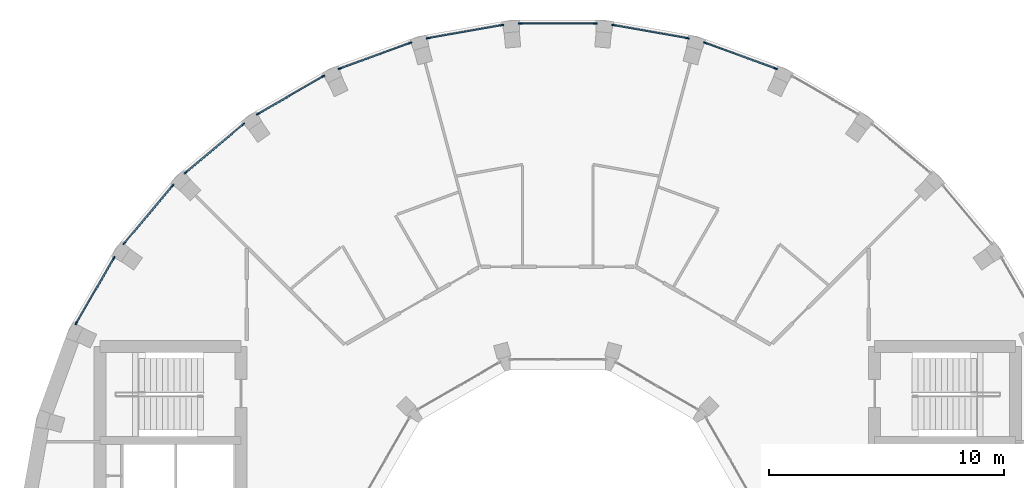
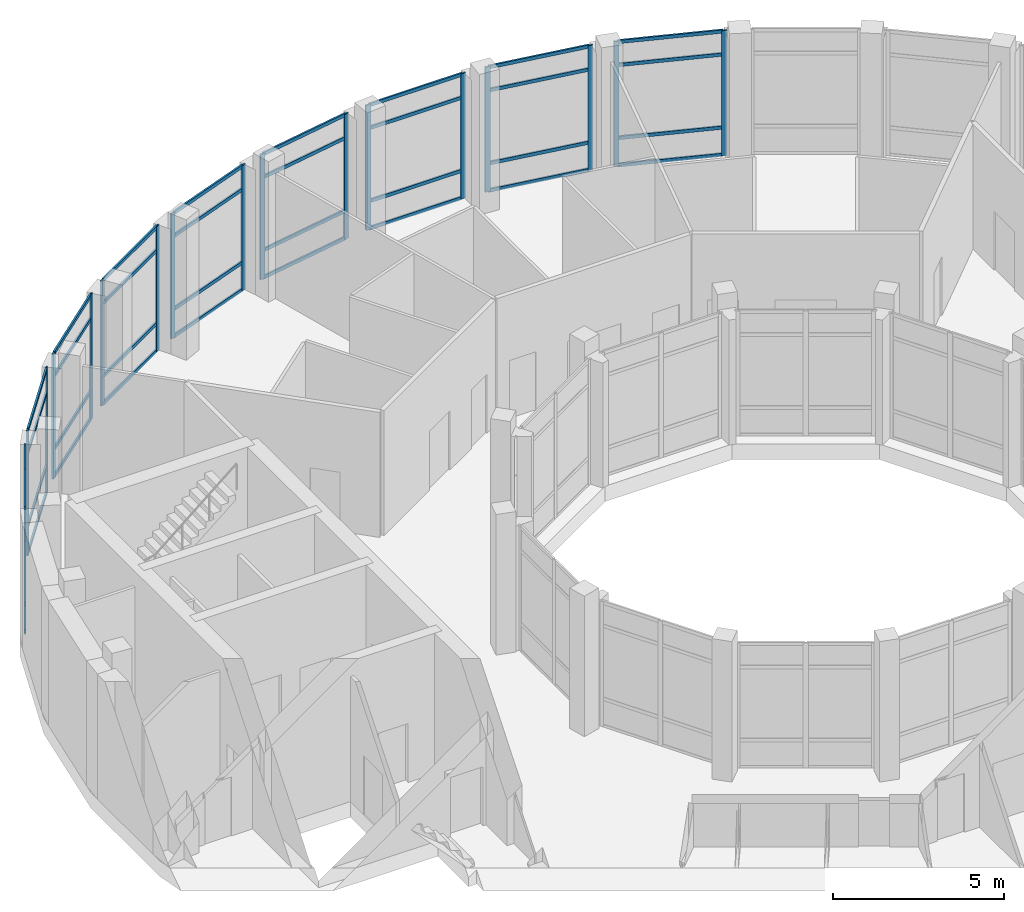
# One storey, part 6 of 16: 54 members, 9 elements without a shape of their own.
"""IFC4 building model written with IfcOpenShell, lengths in metres."""

from ifc_helpers import new_model, si_unit, direction, frame, origin, origin_2d, place, context, subcontext, project, spatial, rectangle, extrude, material, layer, layer_set, material_profile, profile_set, type_object, element, aggregate, save


model = new_model("IFC4")

# Units and contexts
model_context = context("Model", 3, precision=1e-05, world=origin(), true_north=direction((0.0, 1.0)))
body_context = subcontext(model_context, "Body", "Model", "MODEL_VIEW")
ifc_project = project(units=[si_unit("LENGTHUNIT", "METRE"), si_unit("AREAUNIT", "SQUARE_METRE"), si_unit("VOLUMEUNIT", "CUBIC_METRE"), si_unit("PLANEANGLEUNIT", "RADIAN"), si_unit("MASSUNIT", "GRAM", prefix="KILO")], contexts=[model_context])

# Site, building, storey
site_placement = place(None, origin())
site = spatial("IfcSite", under=ifc_project, at=site_placement, CompositionType="ELEMENT")
building_placement = place(site_placement, origin())
building = spatial("IfcBuilding", under=site, at=building_placement, Name="Saqina Gate Tower", CompositionType="ELEMENT")
storey_placement = place(building_placement, frame((0.0, 0.0, 279.199951171875)))
storey = spatial("IfcBuildingStorey", under=building, at=storey_placement, Name="L80", CompositionType="ELEMENT", Elevation=279.199951171875)

# Curtain wall, members
ifc_material_1 = material(Name="Aluminium glazing", Category="aluminium")
ifc_layer = layer(ifc_material_1, 0.159912109375)
ifc_layer_set = layer_set([ifc_layer], Name="CWT-2")
curtain_wall_type = type_object("IfcCurtainWallType", Name="CWT-2", PredefinedType="NOTDEFINED", material=ifc_layer_set)
curtain_wall_1_placement = place(storey_placement, origin())
curtain_wall_1 = element("IfcCurtainWall", 1, at=curtain_wall_1_placement, inside=storey, type_object=curtain_wall_type, Name="Sky lounge glazing facet 7", PredefinedType="NOTDEFINED")
ifc_material_2 = material(Name="Aluminium", Category="aluminium")
ifc_material_profile_1 = material_profile(ifc_material_2, rectangle(XDim=0.06005859375, YDim=0.159912109375, at=origin_2d()), Name="Aluminium 60x160")
ifc_profile_set_1 = profile_set([ifc_material_profile_1], Name="Aluminium")
member_type_1 = type_object("IfcMemberType", Name="CWT-2M", PredefinedType="MULLION", material=ifc_profile_set_1)
member_1_placement = place(storey_placement, frame((9.284912109375, 20.843994140625, 0.0), z_axis=(0.0, 0.0, 1.0), x_axis=(-0.342007258437, -0.939697310402, 0.0)))
member_1 = element("IfcMember", 2, at=member_1_placement, type_object=member_type_1, Name="CW2-07 mullion 1", PredefinedType="MULLION", context=body_context, shape_type="SweptSolid", body=[
    extrude(rectangle(XDim=0.06005859375, YDim=0.159912109375, at=origin_2d()), origin(), (0.0, 0.0, 1.0), 4.449951171875),
])
member_2_placement = place(storey_placement, frame((6.28564453125, 21.935546875, 0.0), z_axis=(0.0, 0.0, 1.0), x_axis=(-0.342007258437, -0.939697310402, 0.0)))
member_2 = element("IfcMember", 3, at=member_2_placement, type_object=member_type_1, Name="CW2-07 mullion 2", PredefinedType="MULLION", context=body_context, shape_type="SweptSolid", body=[
    extrude(rectangle(XDim=0.06005859375, YDim=0.159912109375, at=origin_2d()), origin(), (0.0, 0.0, 1.0), 4.449951171875),
])

curtain_wall_2_placement = place(storey_placement, origin())
curtain_wall_2 = element("IfcCurtainWall", 4, at=curtain_wall_2_placement, inside=storey, type_object=curtain_wall_type, Name="Sky lounge glazing facet 8", PredefinedType="NOTDEFINED")
member_3_placement = place(storey_placement, frame((5.524169921875, 22.139404296875, 0.0), z_axis=(0.0, 0.0, 1.0), x_axis=(-0.173662526718, -0.984805222779, 0.0)))
member_3 = element("IfcMember", 5, at=member_3_placement, type_object=member_type_1, Name="CW2-08 mullion 1", PredefinedType="MULLION", context=body_context, shape_type="SweptSolid", body=[
    extrude(rectangle(XDim=0.06005859375, YDim=0.159912109375, at=origin_2d()), origin(), (0.0, 0.0, 1.0), 4.449951171875),
])
member_4_placement = place(storey_placement, frame((2.381103515625, 22.69384765625, 0.0), z_axis=(0.0, 0.0, 1.0), x_axis=(-0.173662526718, -0.984805222779, 0.0)))
member_4 = element("IfcMember", 6, at=member_4_placement, type_object=member_type_1, Name="CW2-08 mullion 2", PredefinedType="MULLION", context=body_context, shape_type="SweptSolid", body=[
    extrude(rectangle(XDim=0.06005859375, YDim=0.159912109375, at=origin_2d()), origin(), (0.0, 0.0, 1.0), 4.449951171875),
])

curtain_wall_3_placement = place(storey_placement, origin())
curtain_wall_3 = element("IfcCurtainWall", 7, at=curtain_wall_3_placement, inside=storey, type_object=curtain_wall_type, Name="Sky lounge glazing facet 9", PredefinedType="NOTDEFINED")
member_5_placement = place(storey_placement, frame((1.595703125, 22.762451171875, 0.0), z_axis=(0.0, 0.0, 1.0), x_axis=(0.0, -1.0, 0.0)))
member_5 = element("IfcMember", 8, at=member_5_placement, type_object=member_type_1, Name="CW2-09 mullion 1", PredefinedType="MULLION", context=body_context, shape_type="SweptSolid", body=[
    extrude(rectangle(XDim=0.06005859375, YDim=0.159912109375, at=origin_2d()), origin(), (0.0, 0.0, 1.0), 4.449951171875),
])
member_6_placement = place(storey_placement, frame((-1.595703125, 22.762451171875, 0.0), z_axis=(0.0, 0.0, 1.0), x_axis=(0.0, -1.0, 0.0)))
member_6 = element("IfcMember", 9, at=member_6_placement, type_object=member_type_1, Name="CW2-09 mullion 2", PredefinedType="MULLION", context=body_context, shape_type="SweptSolid", body=[
    extrude(rectangle(XDim=0.06005859375, YDim=0.159912109375, at=origin_2d()), origin(), (0.0, 0.0, 1.0), 4.449951171875),
])

curtain_wall_4_placement = place(storey_placement, origin())
curtain_wall_4 = element("IfcCurtainWall", 10, at=curtain_wall_4_placement, inside=storey, type_object=curtain_wall_type, Name="Sky lounge glazing facet 10", PredefinedType="NOTDEFINED")
member_7_placement = place(storey_placement, frame((-2.381103515625, 22.69384765625, 0.0), z_axis=(0.0, 0.0, 1.0), x_axis=(0.173662526718, -0.984805222779, 0.0)))
member_7 = element("IfcMember", 11, at=member_7_placement, type_object=member_type_1, Name="CW2-10 mullion 1", PredefinedType="MULLION", context=body_context, shape_type="SweptSolid", body=[
    extrude(rectangle(XDim=0.06005859375, YDim=0.159912109375, at=origin_2d()), origin(), (0.0, 0.0, 1.0), 4.449951171875),
])
member_8_placement = place(storey_placement, frame((-5.524169921875, 22.139404296875, 0.0), z_axis=(0.0, 0.0, 1.0), x_axis=(0.173662526718, -0.984805222779, 0.0)))
member_8 = element("IfcMember", 12, at=member_8_placement, type_object=member_type_1, Name="CW2-10 mullion 2", PredefinedType="MULLION", context=body_context, shape_type="SweptSolid", body=[
    extrude(rectangle(XDim=0.06005859375, YDim=0.159912109375, at=origin_2d()), origin(), (0.0, 0.0, 1.0), 4.449951171875),
])

curtain_wall_5_placement = place(storey_placement, origin())
curtain_wall_5 = element("IfcCurtainWall", 13, at=curtain_wall_5_placement, inside=storey, type_object=curtain_wall_type, Name="Sky lounge glazing facet 11", PredefinedType="NOTDEFINED")
member_9_placement = place(storey_placement, frame((-6.28564453125, 21.935546875, 0.0), z_axis=(0.0, 0.0, 1.0), x_axis=(0.342007258437, -0.939697310402, 0.0)))
member_9 = element("IfcMember", 14, at=member_9_placement, type_object=member_type_1, Name="CW2-11 mullion 1", PredefinedType="MULLION", context=body_context, shape_type="SweptSolid", body=[
    extrude(rectangle(XDim=0.06005859375, YDim=0.159912109375, at=origin_2d()), origin(), (0.0, 0.0, 1.0), 4.449951171875),
])
member_10_placement = place(storey_placement, frame((-9.284912109375, 20.843994140625, 0.0), z_axis=(0.0, 0.0, 1.0), x_axis=(0.342007258437, -0.939697310402, 0.0)))
member_10 = element("IfcMember", 15, at=member_10_placement, type_object=member_type_1, Name="CW2-11 mullion 2", PredefinedType="MULLION", context=body_context, shape_type="SweptSolid", body=[
    extrude(rectangle(XDim=0.06005859375, YDim=0.159912109375, at=origin_2d()), origin(), (0.0, 0.0, 1.0), 4.449951171875),
])

curtain_wall_6_placement = place(storey_placement, origin())
curtain_wall_6 = element("IfcCurtainWall", 16, at=curtain_wall_6_placement, inside=storey, type_object=curtain_wall_type, Name="Sky lounge glazing facet 12", PredefinedType="NOTDEFINED")
member_11_placement = place(storey_placement, frame((-9.999267578125, 20.5107421875, 0.0), z_axis=(0.0, 0.0, 1.0), x_axis=(0.499982449212, -0.8660355365, 0.0)))
member_11 = element("IfcMember", 17, at=member_11_placement, type_object=member_type_1, Name="CW2-12 mullion 1", PredefinedType="MULLION", context=body_context, shape_type="SweptSolid", body=[
    extrude(rectangle(XDim=0.06005859375, YDim=0.159912109375, at=origin_2d()), origin(), (0.0, 0.0, 1.0), 4.449951171875),
])
member_12_placement = place(storey_placement, frame((-12.763427734375, 18.9150390625, 0.0), z_axis=(0.0, 0.0, 1.0), x_axis=(0.499982449212, -0.8660355365, 0.0)))
member_12 = element("IfcMember", 18, at=member_12_placement, type_object=member_type_1, Name="CW2-12 mullion 2", PredefinedType="MULLION", context=body_context, shape_type="SweptSolid", body=[
    extrude(rectangle(XDim=0.06005859375, YDim=0.159912109375, at=origin_2d()), origin(), (0.0, 0.0, 1.0), 4.449951171875),
])

curtain_wall_7_placement = place(storey_placement, origin())
curtain_wall_7 = element("IfcCurtainWall", 19, at=curtain_wall_7_placement, inside=storey, type_object=curtain_wall_type, Name="Sky lounge glazing facet 13", PredefinedType="NOTDEFINED")
member_13_placement = place(storey_placement, frame((-13.408935546875, 18.462890625, 0.0), z_axis=(0.0, 0.0, 1.0), x_axis=(0.642785214609, -0.766046452821, 0.0)))
member_13 = element("IfcMember", 20, at=member_13_placement, type_object=member_type_1, Name="CW2-13 mullion 1", PredefinedType="MULLION", context=body_context, shape_type="SweptSolid", body=[
    extrude(rectangle(XDim=0.06005859375, YDim=0.159912109375, at=origin_2d()), origin(), (0.0, 0.0, 1.0), 4.449951171875),
])
member_14_placement = place(storey_placement, frame((-15.85400390625, 16.411376953125, 0.0), z_axis=(0.0, 0.0, 1.0), x_axis=(0.642785214609, -0.766046452821, 0.0)))
member_14 = element("IfcMember", 21, at=member_14_placement, type_object=member_type_1, Name="CW2-13 mullion 2", PredefinedType="MULLION", context=body_context, shape_type="SweptSolid", body=[
    extrude(rectangle(XDim=0.06005859375, YDim=0.159912109375, at=origin_2d()), origin(), (0.0, 0.0, 1.0), 4.449951171875),
])

curtain_wall_8_placement = place(storey_placement, origin())
curtain_wall_8 = element("IfcCurtainWall", 22, at=curtain_wall_8_placement, inside=storey, type_object=curtain_wall_type, Name="Sky lounge glazing facet 14", PredefinedType="NOTDEFINED")
member_15_placement = place(storey_placement, frame((-16.411376953125, 15.85400390625, 0.0), z_axis=(0.0, 0.0, 1.0), x_axis=(0.766046452821, -0.642785214609, 0.0)))
member_15 = element("IfcMember", 23, at=member_15_placement, type_object=member_type_1, Name="CW2-14 mullion 1", PredefinedType="MULLION", context=body_context, shape_type="SweptSolid", body=[
    extrude(rectangle(XDim=0.06005859375, YDim=0.159912109375, at=origin_2d()), origin(), (0.0, 0.0, 1.0), 4.449951171875),
])
member_16_placement = place(storey_placement, frame((-18.462890625, 13.408935546875, 0.0), z_axis=(0.0, 0.0, 1.0), x_axis=(0.766046452821, -0.642785214609, 0.0)))
member_16 = element("IfcMember", 24, at=member_16_placement, type_object=member_type_1, Name="CW2-14 mullion 2", PredefinedType="MULLION", context=body_context, shape_type="SweptSolid", body=[
    extrude(rectangle(XDim=0.06005859375, YDim=0.159912109375, at=origin_2d()), origin(), (0.0, 0.0, 1.0), 4.449951171875),
])

curtain_wall_9_placement = place(storey_placement, origin())
curtain_wall_9 = element("IfcCurtainWall", 25, at=curtain_wall_9_placement, inside=storey, type_object=curtain_wall_type, Name="Sky lounge glazing facet 15", PredefinedType="NOTDEFINED")
member_17_placement = place(storey_placement, frame((-18.9150390625, 12.763427734375, 0.0), z_axis=(0.0, 0.0, 1.0), x_axis=(0.8660355365, -0.499982449212, 0.0)))
member_17 = element("IfcMember", 26, at=member_17_placement, type_object=member_type_1, Name="CW2-15 mullion 1", PredefinedType="MULLION", context=body_context, shape_type="SweptSolid", body=[
    extrude(rectangle(XDim=0.06005859375, YDim=0.159912109375, at=origin_2d()), origin(), (0.0, 0.0, 1.0), 4.449951171875),
])
member_18_placement = place(storey_placement, frame((-20.5107421875, 9.999267578125, 0.0), z_axis=(0.0, 0.0, 1.0), x_axis=(0.8660355365, -0.499982449212, 0.0)))
member_18 = element("IfcMember", 27, at=member_18_placement, type_object=member_type_1, Name="CW2-15 mullion 2", PredefinedType="MULLION", context=body_context, shape_type="SweptSolid", body=[
    extrude(rectangle(XDim=0.06005859375, YDim=0.159912109375, at=origin_2d()), origin(), (0.0, 0.0, 1.0), 4.449951171875),
])

# Member
ifc_material_3 = material(Name="Aluminium", Category="aluminium")
ifc_material_profile_2 = material_profile(ifc_material_3, rectangle(XDim=0.06005859375, YDim=0.1201171875, at=origin_2d()), Name="Aluminium 60x120")
ifc_profile_set_2 = profile_set([ifc_material_profile_2], Name="Aluminium")
member_type_2 = type_object("IfcMemberType", Name="CWT-2T", PredefinedType="USERDEFINED", material=ifc_profile_set_2)
member_19_placement = place(storey_placement, frame((9.256591796875, 20.854248046875, 0.030029296875), z_axis=(-0.939700067025, 0.341999684258, 0.0), x_axis=(-0.341999684258, -0.939700067025, 0.0)))
member_19 = element("IfcMember", 28, at=member_19_placement, type_object=member_type_2, Name="CW2-07 transom 1.1", ObjectType="TRANSOM", PredefinedType="USERDEFINED", context=body_context, shape_type="SweptSolid", body=[
    extrude(rectangle(XDim=0.06005859375, YDim=0.1201171875, at=origin_2d()), origin(), (0.0, 0.0, 1.0), 3.131591796875),
])

member_20_placement = place(storey_placement, frame((9.256591796875, 20.854248046875, 1.0), z_axis=(-0.939700067025, 0.341999684258, 0.0), x_axis=(-0.341999684258, -0.939700067025, 0.0)))
member_20 = element("IfcMember", 29, at=member_20_placement, type_object=member_type_2, Name="CW2-07 transom 1.2", ObjectType="TRANSOM", PredefinedType="USERDEFINED", context=body_context, shape_type="SweptSolid", body=[
    extrude(rectangle(XDim=0.06005859375, YDim=0.1201171875, at=origin_2d()), origin(), (0.0, 0.0, 1.0), 3.131591796875),
])

member_21_placement = place(storey_placement, frame((9.256591796875, 20.854248046875, 3.60009765625), z_axis=(-0.939700067025, 0.341999684258, 0.0), x_axis=(-0.341999684258, -0.939700067025, 0.0)))
member_21 = element("IfcMember", 30, at=member_21_placement, type_object=member_type_2, Name="CW2-07 transom 1.3", ObjectType="TRANSOM", PredefinedType="USERDEFINED", context=body_context, shape_type="SweptSolid", body=[
    extrude(rectangle(XDim=0.06005859375, YDim=0.1201171875, at=origin_2d()), origin(), (0.0, 0.0, 1.0), 3.131591796875),
])

member_22_placement = place(storey_placement, frame((9.256591796875, 20.854248046875, 4.420166015625), z_axis=(-0.939700067025, 0.341999684258, 0.0), x_axis=(-0.341999684258, -0.939700067025, 0.0)))
member_22 = element("IfcMember", 31, at=member_22_placement, type_object=member_type_2, Name="CW2-07 transom 1.4", ObjectType="TRANSOM", PredefinedType="USERDEFINED", context=body_context, shape_type="SweptSolid", body=[
    extrude(rectangle(XDim=0.06005859375, YDim=0.1201171875, at=origin_2d()), origin(), (0.0, 0.0, 1.0), 3.131591796875),
])

aggregate(curtain_wall_1, [member_1, member_2, member_19, member_20, member_21, member_22])

member_23_placement = place(storey_placement, frame((5.49462890625, 22.144775390625, 0.030029296875), z_axis=(-0.984812584506, 0.173620774675, 0.0), x_axis=(-0.173620774675, -0.984812584506, 0.0)))
member_23 = element("IfcMember", 32, at=member_23_placement, type_object=member_type_2, Name="CW2-08 transom 1.1", ObjectType="TRANSOM", PredefinedType="USERDEFINED", context=body_context, shape_type="SweptSolid", body=[
    extrude(rectangle(XDim=0.06005859375, YDim=0.1201171875, at=origin_2d()), origin(), (0.0, 0.0, 1.0), 3.131591796875),
])

member_24_placement = place(storey_placement, frame((5.49462890625, 22.144775390625, 1.0), z_axis=(-0.984812584506, 0.173620774675, 0.0), x_axis=(-0.173620774675, -0.984812584506, 0.0)))
member_24 = element("IfcMember", 33, at=member_24_placement, type_object=member_type_2, Name="CW2-08 transom 1.2", ObjectType="TRANSOM", PredefinedType="USERDEFINED", context=body_context, shape_type="SweptSolid", body=[
    extrude(rectangle(XDim=0.06005859375, YDim=0.1201171875, at=origin_2d()), origin(), (0.0, 0.0, 1.0), 3.131591796875),
])

member_25_placement = place(storey_placement, frame((5.49462890625, 22.144775390625, 3.60009765625), z_axis=(-0.984812584506, 0.173620774675, 0.0), x_axis=(-0.173620774675, -0.984812584506, 0.0)))
member_25 = element("IfcMember", 34, at=member_25_placement, type_object=member_type_2, Name="CW2-08 transom 1.3", ObjectType="TRANSOM", PredefinedType="USERDEFINED", context=body_context, shape_type="SweptSolid", body=[
    extrude(rectangle(XDim=0.06005859375, YDim=0.1201171875, at=origin_2d()), origin(), (0.0, 0.0, 1.0), 3.131591796875),
])

member_26_placement = place(storey_placement, frame((5.49462890625, 22.144775390625, 4.420166015625), z_axis=(-0.984812584506, 0.173620774675, 0.0), x_axis=(-0.173620774675, -0.984812584506, 0.0)))
member_26 = element("IfcMember", 35, at=member_26_placement, type_object=member_type_2, Name="CW2-08 transom 1.4", ObjectType="TRANSOM", PredefinedType="USERDEFINED", context=body_context, shape_type="SweptSolid", body=[
    extrude(rectangle(XDim=0.06005859375, YDim=0.1201171875, at=origin_2d()), origin(), (0.0, 0.0, 1.0), 3.131591796875),
])

aggregate(curtain_wall_2, [member_3, member_4, member_23, member_24, member_25, member_26])

member_27_placement = place(storey_placement, frame((1.56591796875, 22.762451171875, 0.030029296875), z_axis=(-1.0, 0.0, 0.0), x_axis=(0.0, -1.0, 0.0)))
member_27 = element("IfcMember", 36, at=member_27_placement, type_object=member_type_2, Name="CW2-09 transom 1.1", ObjectType="TRANSOM", PredefinedType="USERDEFINED", context=body_context, shape_type="SweptSolid", body=[
    extrude(rectangle(XDim=0.06005859375, YDim=0.1201171875, at=origin_2d()), origin(), (0.0, 0.0, 1.0), 3.1318359375),
])

member_28_placement = place(storey_placement, frame((1.56591796875, 22.762451171875, 1.0), z_axis=(-1.0, 0.0, 0.0), x_axis=(0.0, -1.0, 0.0)))
member_28 = element("IfcMember", 37, at=member_28_placement, type_object=member_type_2, Name="CW2-09 transom 1.2", ObjectType="TRANSOM", PredefinedType="USERDEFINED", context=body_context, shape_type="SweptSolid", body=[
    extrude(rectangle(XDim=0.06005859375, YDim=0.1201171875, at=origin_2d()), origin(), (0.0, 0.0, 1.0), 3.1318359375),
])

member_29_placement = place(storey_placement, frame((1.56591796875, 22.762451171875, 3.60009765625), z_axis=(-1.0, 0.0, 0.0), x_axis=(0.0, -1.0, 0.0)))
member_29 = element("IfcMember", 38, at=member_29_placement, type_object=member_type_2, Name="CW2-09 transom 1.3", ObjectType="TRANSOM", PredefinedType="USERDEFINED", context=body_context, shape_type="SweptSolid", body=[
    extrude(rectangle(XDim=0.06005859375, YDim=0.1201171875, at=origin_2d()), origin(), (0.0, 0.0, 1.0), 3.1318359375),
])

member_30_placement = place(storey_placement, frame((1.56591796875, 22.762451171875, 4.420166015625), z_axis=(-1.0, 0.0, 0.0), x_axis=(0.0, -1.0, 0.0)))
member_30 = element("IfcMember", 39, at=member_30_placement, type_object=member_type_2, Name="CW2-09 transom 1.4", ObjectType="TRANSOM", PredefinedType="USERDEFINED", context=body_context, shape_type="SweptSolid", body=[
    extrude(rectangle(XDim=0.06005859375, YDim=0.1201171875, at=origin_2d()), origin(), (0.0, 0.0, 1.0), 3.1318359375),
])

aggregate(curtain_wall_3, [member_5, member_6, member_27, member_28, member_29, member_30])

member_31_placement = place(storey_placement, frame((-2.41064453125, 22.6884765625, 0.030029296875), z_axis=(-0.984812584506, -0.173620774675, 0.0), x_axis=(0.173620774675, -0.984812584506, 0.0)))
member_31 = element("IfcMember", 40, at=member_31_placement, type_object=member_type_2, Name="CW2-10 transom 1.1", ObjectType="TRANSOM", PredefinedType="USERDEFINED", context=body_context, shape_type="SweptSolid", body=[
    extrude(rectangle(XDim=0.06005859375, YDim=0.1201171875, at=origin_2d()), origin(), (0.0, 0.0, 1.0), 3.131591796875),
])

member_32_placement = place(storey_placement, frame((-2.41064453125, 22.6884765625, 1.0), z_axis=(-0.984812584506, -0.173620774675, 0.0), x_axis=(0.173620774675, -0.984812584506, 0.0)))
member_32 = element("IfcMember", 41, at=member_32_placement, type_object=member_type_2, Name="CW2-10 transom 1.2", ObjectType="TRANSOM", PredefinedType="USERDEFINED", context=body_context, shape_type="SweptSolid", body=[
    extrude(rectangle(XDim=0.06005859375, YDim=0.1201171875, at=origin_2d()), origin(), (0.0, 0.0, 1.0), 3.131591796875),
])

member_33_placement = place(storey_placement, frame((-2.41064453125, 22.6884765625, 3.60009765625), z_axis=(-0.984812584506, -0.173620774675, 0.0), x_axis=(0.173620774675, -0.984812584506, 0.0)))
member_33 = element("IfcMember", 42, at=member_33_placement, type_object=member_type_2, Name="CW2-10 transom 1.3", ObjectType="TRANSOM", PredefinedType="USERDEFINED", context=body_context, shape_type="SweptSolid", body=[
    extrude(rectangle(XDim=0.06005859375, YDim=0.1201171875, at=origin_2d()), origin(), (0.0, 0.0, 1.0), 3.131591796875),
])

member_34_placement = place(storey_placement, frame((-2.41064453125, 22.6884765625, 4.420166015625), z_axis=(-0.984812584506, -0.173620774675, 0.0), x_axis=(0.173620774675, -0.984812584506, 0.0)))
member_34 = element("IfcMember", 43, at=member_34_placement, type_object=member_type_2, Name="CW2-10 transom 1.4", ObjectType="TRANSOM", PredefinedType="USERDEFINED", context=body_context, shape_type="SweptSolid", body=[
    extrude(rectangle(XDim=0.06005859375, YDim=0.1201171875, at=origin_2d()), origin(), (0.0, 0.0, 1.0), 3.131591796875),
])

aggregate(curtain_wall_4, [member_7, member_8, member_31, member_32, member_33, member_34])

member_35_placement = place(storey_placement, frame((-6.313720703125, 21.92529296875, 0.030029296875), z_axis=(-0.939700067025, -0.341999684258, 0.0), x_axis=(0.341999684258, -0.939700067025, 0.0)))
member_35 = element("IfcMember", 44, at=member_35_placement, type_object=member_type_2, Name="CW2-11 transom 1.1", ObjectType="TRANSOM", PredefinedType="USERDEFINED", context=body_context, shape_type="SweptSolid", body=[
    extrude(rectangle(XDim=0.06005859375, YDim=0.1201171875, at=origin_2d()), origin(), (0.0, 0.0, 1.0), 3.131591796875),
])

member_36_placement = place(storey_placement, frame((-6.313720703125, 21.92529296875, 1.0), z_axis=(-0.939700067025, -0.341999684258, 0.0), x_axis=(0.341999684258, -0.939700067025, 0.0)))
member_36 = element("IfcMember", 45, at=member_36_placement, type_object=member_type_2, Name="CW2-11 transom 1.2", ObjectType="TRANSOM", PredefinedType="USERDEFINED", context=body_context, shape_type="SweptSolid", body=[
    extrude(rectangle(XDim=0.06005859375, YDim=0.1201171875, at=origin_2d()), origin(), (0.0, 0.0, 1.0), 3.131591796875),
])

member_37_placement = place(storey_placement, frame((-6.313720703125, 21.92529296875, 3.60009765625), z_axis=(-0.939700067025, -0.341999684258, 0.0), x_axis=(0.341999684258, -0.939700067025, 0.0)))
member_37 = element("IfcMember", 46, at=member_37_placement, type_object=member_type_2, Name="CW2-11 transom 1.3", ObjectType="TRANSOM", PredefinedType="USERDEFINED", context=body_context, shape_type="SweptSolid", body=[
    extrude(rectangle(XDim=0.06005859375, YDim=0.1201171875, at=origin_2d()), origin(), (0.0, 0.0, 1.0), 3.131591796875),
])

member_38_placement = place(storey_placement, frame((-6.313720703125, 21.92529296875, 4.420166015625), z_axis=(-0.939700067025, -0.341999684258, 0.0), x_axis=(0.341999684258, -0.939700067025, 0.0)))
member_38 = element("IfcMember", 47, at=member_38_placement, type_object=member_type_2, Name="CW2-11 transom 1.4", ObjectType="TRANSOM", PredefinedType="USERDEFINED", context=body_context, shape_type="SweptSolid", body=[
    extrude(rectangle(XDim=0.06005859375, YDim=0.1201171875, at=origin_2d()), origin(), (0.0, 0.0, 1.0), 3.131591796875),
])

aggregate(curtain_wall_5, [member_9, member_10, member_35, member_36, member_37, member_38])

member_39_placement = place(storey_placement, frame((-10.025146484375, 20.495849609375, 0.030029296875), z_axis=(-0.866018117109, -0.50001262068, 0.0), x_axis=(0.50001262068, -0.866018117109, 0.0)))
member_39 = element("IfcMember", 48, at=member_39_placement, type_object=member_type_2, Name="CW2-12 transom 1.1", ObjectType="TRANSOM", PredefinedType="USERDEFINED", context=body_context, shape_type="SweptSolid", body=[
    extrude(rectangle(XDim=0.06005859375, YDim=0.1201171875, at=origin_2d()), origin(), (0.0, 0.0, 1.0), 3.1318359375),
])

member_40_placement = place(storey_placement, frame((-10.025146484375, 20.495849609375, 1.0), z_axis=(-0.866018117109, -0.50001262068, 0.0), x_axis=(0.50001262068, -0.866018117109, 0.0)))
member_40 = element("IfcMember", 49, at=member_40_placement, type_object=member_type_2, Name="CW2-12 transom 1.2", ObjectType="TRANSOM", PredefinedType="USERDEFINED", context=body_context, shape_type="SweptSolid", body=[
    extrude(rectangle(XDim=0.06005859375, YDim=0.1201171875, at=origin_2d()), origin(), (0.0, 0.0, 1.0), 3.1318359375),
])

member_41_placement = place(storey_placement, frame((-10.025146484375, 20.495849609375, 3.60009765625), z_axis=(-0.866018117109, -0.50001262068, 0.0), x_axis=(0.50001262068, -0.866018117109, 0.0)))
member_41 = element("IfcMember", 50, at=member_41_placement, type_object=member_type_2, Name="CW2-12 transom 1.3", ObjectType="TRANSOM", PredefinedType="USERDEFINED", context=body_context, shape_type="SweptSolid", body=[
    extrude(rectangle(XDim=0.06005859375, YDim=0.1201171875, at=origin_2d()), origin(), (0.0, 0.0, 1.0), 3.1318359375),
])

member_42_placement = place(storey_placement, frame((-10.025146484375, 20.495849609375, 4.420166015625), z_axis=(-0.866018117109, -0.50001262068, 0.0), x_axis=(0.50001262068, -0.866018117109, 0.0)))
member_42 = element("IfcMember", 51, at=member_42_placement, type_object=member_type_2, Name="CW2-12 transom 1.4", ObjectType="TRANSOM", PredefinedType="USERDEFINED", context=body_context, shape_type="SweptSolid", body=[
    extrude(rectangle(XDim=0.06005859375, YDim=0.1201171875, at=origin_2d()), origin(), (0.0, 0.0, 1.0), 3.1318359375),
])

aggregate(curtain_wall_6, [member_11, member_12, member_39, member_40, member_41, member_42])

member_43_placement = place(storey_placement, frame((-13.431884765625, 18.443603515625, 0.030029296875), z_axis=(-0.766076382206, -0.642749544244, 0.0), x_axis=(0.642749544244, -0.766076382206, 0.0)))
member_43 = element("IfcMember", 52, at=member_43_placement, type_object=member_type_2, Name="CW2-13 transom 1.1", ObjectType="TRANSOM", PredefinedType="USERDEFINED", context=body_context, shape_type="SweptSolid", body=[
    extrude(rectangle(XDim=0.06005859375, YDim=0.1201171875, at=origin_2d()), origin(), (0.0, 0.0, 1.0), 3.1318359375),
])

member_44_placement = place(storey_placement, frame((-13.431884765625, 18.443603515625, 1.0), z_axis=(-0.766076382206, -0.642749544244, 0.0), x_axis=(0.642749544244, -0.766076382206, 0.0)))
member_44 = element("IfcMember", 53, at=member_44_placement, type_object=member_type_2, Name="CW2-13 transom 1.2", ObjectType="TRANSOM", PredefinedType="USERDEFINED", context=body_context, shape_type="SweptSolid", body=[
    extrude(rectangle(XDim=0.06005859375, YDim=0.1201171875, at=origin_2d()), origin(), (0.0, 0.0, 1.0), 3.1318359375),
])

member_45_placement = place(storey_placement, frame((-13.431884765625, 18.443603515625, 3.60009765625), z_axis=(-0.766076382206, -0.642749544244, 0.0), x_axis=(0.642749544244, -0.766076382206, 0.0)))
member_45 = element("IfcMember", 54, at=member_45_placement, type_object=member_type_2, Name="CW2-13 transom 1.3", ObjectType="TRANSOM", PredefinedType="USERDEFINED", context=body_context, shape_type="SweptSolid", body=[
    extrude(rectangle(XDim=0.06005859375, YDim=0.1201171875, at=origin_2d()), origin(), (0.0, 0.0, 1.0), 3.1318359375),
])

member_46_placement = place(storey_placement, frame((-13.431884765625, 18.443603515625, 4.420166015625), z_axis=(-0.766076382206, -0.642749544244, 0.0), x_axis=(0.642749544244, -0.766076382206, 0.0)))
member_46 = element("IfcMember", 55, at=member_46_placement, type_object=member_type_2, Name="CW2-13 transom 1.4", ObjectType="TRANSOM", PredefinedType="USERDEFINED", context=body_context, shape_type="SweptSolid", body=[
    extrude(rectangle(XDim=0.06005859375, YDim=0.1201171875, at=origin_2d()), origin(), (0.0, 0.0, 1.0), 3.1318359375),
])

aggregate(curtain_wall_7, [member_13, member_14, member_43, member_44, member_45, member_46])

member_47_placement = place(storey_placement, frame((-16.4306640625, 15.8310546875, 0.030029296875), z_axis=(-0.642749544244, -0.766076382206, 0.0), x_axis=(0.766076382206, -0.642749544244, 0.0)))
member_47 = element("IfcMember", 56, at=member_47_placement, type_object=member_type_2, Name="CW2-14 transom 1.1", ObjectType="TRANSOM", PredefinedType="USERDEFINED", context=body_context, shape_type="SweptSolid", body=[
    extrude(rectangle(XDim=0.06005859375, YDim=0.1201171875, at=origin_2d()), origin(), (0.0, 0.0, 1.0), 3.1318359375),
])

member_48_placement = place(storey_placement, frame((-16.4306640625, 15.8310546875, 1.0), z_axis=(-0.642749544244, -0.766076382206, 0.0), x_axis=(0.766076382206, -0.642749544244, 0.0)))
member_48 = element("IfcMember", 57, at=member_48_placement, type_object=member_type_2, Name="CW2-14 transom 1.2", ObjectType="TRANSOM", PredefinedType="USERDEFINED", context=body_context, shape_type="SweptSolid", body=[
    extrude(rectangle(XDim=0.06005859375, YDim=0.1201171875, at=origin_2d()), origin(), (0.0, 0.0, 1.0), 3.1318359375),
])

member_49_placement = place(storey_placement, frame((-16.4306640625, 15.8310546875, 3.60009765625), z_axis=(-0.642749544244, -0.766076382206, 0.0), x_axis=(0.766076382206, -0.642749544244, 0.0)))
member_49 = element("IfcMember", 58, at=member_49_placement, type_object=member_type_2, Name="CW2-14 transom 1.3", ObjectType="TRANSOM", PredefinedType="USERDEFINED", context=body_context, shape_type="SweptSolid", body=[
    extrude(rectangle(XDim=0.06005859375, YDim=0.1201171875, at=origin_2d()), origin(), (0.0, 0.0, 1.0), 3.1318359375),
])

member_50_placement = place(storey_placement, frame((-16.4306640625, 15.8310546875, 4.420166015625), z_axis=(-0.642749544244, -0.766076382206, 0.0), x_axis=(0.766076382206, -0.642749544244, 0.0)))
member_50 = element("IfcMember", 59, at=member_50_placement, type_object=member_type_2, Name="CW2-14 transom 1.4", ObjectType="TRANSOM", PredefinedType="USERDEFINED", context=body_context, shape_type="SweptSolid", body=[
    extrude(rectangle(XDim=0.06005859375, YDim=0.1201171875, at=origin_2d()), origin(), (0.0, 0.0, 1.0), 3.1318359375),
])

aggregate(curtain_wall_8, [member_15, member_16, member_47, member_48, member_49, member_50])

member_51_placement = place(storey_placement, frame((-18.929931640625, 12.7373046875, 0.030029296875), z_axis=(-0.50001262068, -0.866018117109, 0.0), x_axis=(0.866018117109, -0.50001262068, 0.0)))
member_51 = element("IfcMember", 60, at=member_51_placement, type_object=member_type_2, Name="CW2-15 transom 1.1", ObjectType="TRANSOM", PredefinedType="USERDEFINED", context=body_context, shape_type="SweptSolid", body=[
    extrude(rectangle(XDim=0.06005859375, YDim=0.1201171875, at=origin_2d()), origin(), (0.0, 0.0, 1.0), 3.1318359375),
])

member_52_placement = place(storey_placement, frame((-18.929931640625, 12.7373046875, 1.0), z_axis=(-0.50001262068, -0.866018117109, 0.0), x_axis=(0.866018117109, -0.50001262068, 0.0)))
member_52 = element("IfcMember", 61, at=member_52_placement, type_object=member_type_2, Name="CW2-15 transom 1.2", ObjectType="TRANSOM", PredefinedType="USERDEFINED", context=body_context, shape_type="SweptSolid", body=[
    extrude(rectangle(XDim=0.06005859375, YDim=0.1201171875, at=origin_2d()), origin(), (0.0, 0.0, 1.0), 3.1318359375),
])

member_53_placement = place(storey_placement, frame((-18.929931640625, 12.7373046875, 3.60009765625), z_axis=(-0.50001262068, -0.866018117109, 0.0), x_axis=(0.866018117109, -0.50001262068, 0.0)))
member_53 = element("IfcMember", 62, at=member_53_placement, type_object=member_type_2, Name="CW2-15 transom 1.3", ObjectType="TRANSOM", PredefinedType="USERDEFINED", context=body_context, shape_type="SweptSolid", body=[
    extrude(rectangle(XDim=0.06005859375, YDim=0.1201171875, at=origin_2d()), origin(), (0.0, 0.0, 1.0), 3.1318359375),
])

member_54_placement = place(storey_placement, frame((-18.929931640625, 12.7373046875, 4.420166015625), z_axis=(-0.50001262068, -0.866018117109, 0.0), x_axis=(0.866018117109, -0.50001262068, 0.0)))
member_54 = element("IfcMember", 63, at=member_54_placement, type_object=member_type_2, Name="CW2-15 transom 1.4", ObjectType="TRANSOM", PredefinedType="USERDEFINED", context=body_context, shape_type="SweptSolid", body=[
    extrude(rectangle(XDim=0.06005859375, YDim=0.1201171875, at=origin_2d()), origin(), (0.0, 0.0, 1.0), 3.1318359375),
])

aggregate(curtain_wall_9, [member_17, member_18, member_51, member_52, member_53, member_54])

save(model, "model.ifc")
